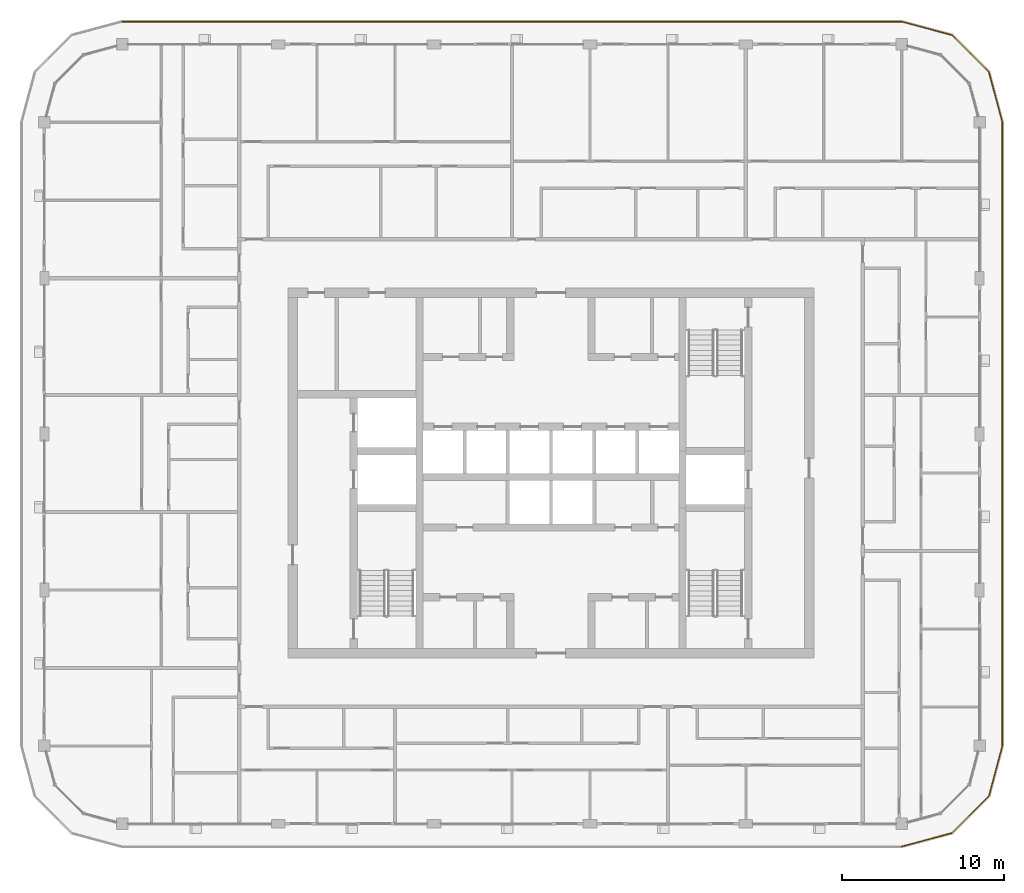
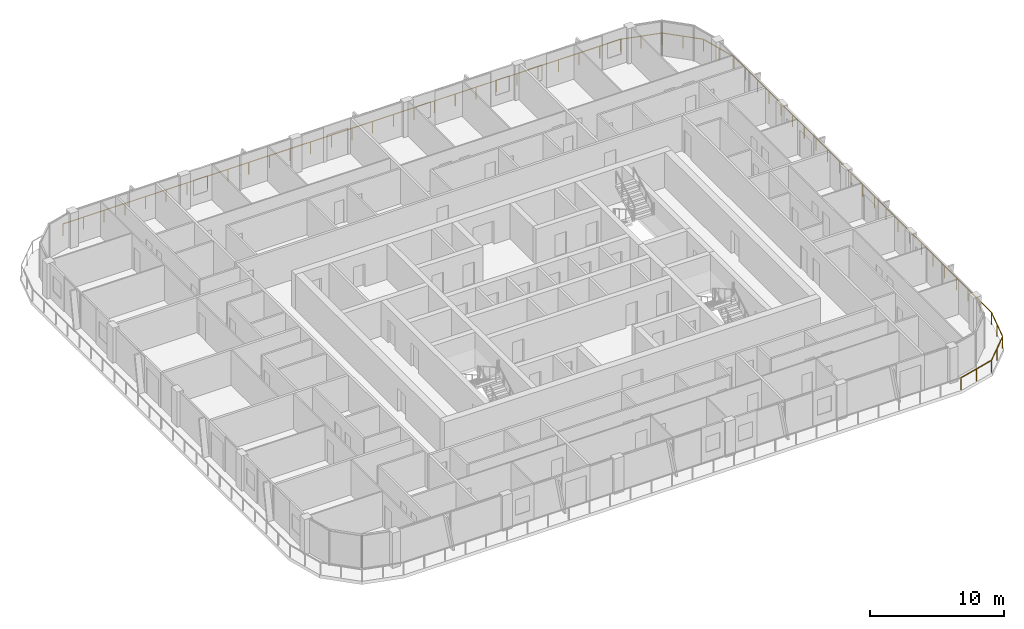
# One storey, part 20 of 22: 1 railing.
"""IFC4 building model written with IfcOpenShell, lengths in metres."""

from ifc_helpers import new_model, si_unit, direction, frame, origin, origin_2d, place, context, subcontext, project, spatial, circle, extrude, material, type_object, element, save


model = new_model("IFC4")

# Units and contexts
model_context = context("Model", 3, precision=1e-05, world=origin(), true_north=direction((0.0, 1.0)))
body_context = subcontext(model_context, "Body", "Model", "MODEL_VIEW")
ifc_project = project(units=[si_unit("LENGTHUNIT", "METRE"), si_unit("AREAUNIT", "SQUARE_METRE"), si_unit("VOLUMEUNIT", "CUBIC_METRE"), si_unit("PLANEANGLEUNIT", "RADIAN"), si_unit("MASSUNIT", "GRAM", prefix="KILO")], contexts=[model_context])

# Site, building, storey
site_placement = place(None, origin())
site = spatial("IfcSite", under=ifc_project, at=site_placement, CompositionType="ELEMENT")
building_placement = place(site_placement, origin())
building = spatial("IfcBuilding", under=site, at=building_placement, Name="Madar Terraces", CompositionType="ELEMENT")
storey_placement = place(building_placement, frame((0.0, 0.0, 249.199951171875)))
storey = spatial("IfcBuildingStorey", under=building, at=storey_placement, Name="L65", CompositionType="ELEMENT", Elevation=249.199951171875)

# Railing
ifc_material = material(Name="Glass, safety glazing, with stainless steel posts", Category="steel")
railing_type = type_object("IfcRailingType", Name="Balcony glass guard 1100", PredefinedType="GUARDRAIL", material=ifc_material)
railing_placement = place(storey_placement, frame((52.800048828125, 3.39990234375, 0.0)))
element("IfcRailing", 1, at=railing_placement, inside=storey, type_object=railing_type, Name="Balcony guard", PredefinedType="GUARDRAIL", context=body_context, shape_type="SweptSolid", body=[
    extrude(circle(Radius=0.02392578125, at=origin_2d()), frame((0.0, 0.0, 1.076171875), z_axis=(0.965909675762, 0.25887931217, 0.0), x_axis=(-0.25887931217, 0.965909675762, 0.0)), (0.0, 0.0, 1.0), 3.209228515625),
    extrude(circle(Radius=0.02392578125, at=origin_2d()), frame((3.099853515625, 0.830810546875, 1.076171875), z_axis=(0.707144815061, 0.707068745266, 0.0), x_axis=(-0.707068745266, 0.707144815061, 0.0)), (0.0, 0.0, 1.0), 3.20947265625),
    extrude(circle(Radius=0.02392578125, at=origin_2d()), frame((5.369384765625, 3.10009765625, 1.076171875), z_axis=(0.258789317819, 0.9659337912, 0.0), x_axis=(-0.9659337912, 0.258789317819, 0.0)), (0.0, 0.0, 1.0), 3.20947265625),
    extrude(circle(Radius=0.02392578125, at=origin_2d()), frame((6.199951171875, 6.2001953125, 1.076171875), z_axis=(0.0, 1.0, 0.0), x_axis=(-1.0, 0.0, 0.0)), (0.0, 0.0, 1.0), 38.39990234375),
    extrude(circle(Radius=0.02392578125, at=origin_2d()), frame((6.199951171875, 44.60009765625, 1.076171875), z_axis=(-0.258789317819, 0.9659337912, 0.0), x_axis=(-0.9659337912, -0.258789317819, 0.0)), (0.0, 0.0, 1.0), 3.20947265625),
    extrude(circle(Radius=0.02392578125, at=origin_2d()), frame((5.369384765625, 47.7001953125, 1.076171875), z_axis=(-0.707144815061, 0.707068745266, 0.0), x_axis=(-0.707068745266, -0.707144815061, 0.0)), (0.0, 0.0, 1.0), 3.20947265625),
    extrude(circle(Radius=0.02392578125, at=origin_2d()), frame((3.099853515625, 49.969482421875, 1.076171875), z_axis=(-0.965928696102, 0.258808334578, 0.0), x_axis=(-0.258808334578, -0.965928696102, 0.0)), (0.0, 0.0, 1.0), 3.209228515625),
    extrude(circle(Radius=0.02392578125, at=origin_2d()), frame((0.0, 50.800048828125, 1.076171875), z_axis=(-1.0, 0.0, 0.0), x_axis=(0.0, -1.0, 0.0)), (0.0, 0.0, 1.0), 48.0),
    extrude(circle(Radius=0.02099609375, at=origin_2d()), origin(), (0.0, 0.0, 1.0), 1.052001953125),
    extrude(circle(Radius=0.02099609375, at=origin_2d()), frame((1.5498046875, 0.41552734375, 0.0)), (0.0, 0.0, 1.0), 1.052001953125),
    extrude(circle(Radius=0.02099609375, at=origin_2d()), frame((3.099853515625, 0.830810546875, 0.0)), (0.0, 0.0, 1.0), 1.052001953125),
    extrude(circle(Radius=0.02099609375, at=origin_2d()), frame((4.234619140625, 1.96533203125, 0.0)), (0.0, 0.0, 1.0), 1.052001953125),
    extrude(circle(Radius=0.02099609375, at=origin_2d()), frame((5.369384765625, 3.10009765625, 0.0)), (0.0, 0.0, 1.0), 1.052001953125),
    extrude(circle(Radius=0.02099609375, at=origin_2d()), frame((5.78466796875, 4.650146484375, 0.0)), (0.0, 0.0, 1.0), 1.052001953125),
    extrude(circle(Radius=0.02099609375, at=origin_2d()), frame((6.199951171875, 6.2001953125, 0.0)), (0.0, 0.0, 1.0), 1.052001953125),
    extrude(circle(Radius=0.02099609375, at=origin_2d()), frame((6.199951171875, 7.945556640625, 0.0)), (0.0, 0.0, 1.0), 1.052001953125),
    extrude(circle(Radius=0.02099609375, at=origin_2d()), frame((6.199951171875, 9.691162109375, 0.0)), (0.0, 0.0, 1.0), 1.052001953125),
    extrude(circle(Radius=0.02099609375, at=origin_2d()), frame((6.199951171875, 11.4365234375, 0.0)), (0.0, 0.0, 1.0), 1.052001953125),
    extrude(circle(Radius=0.02099609375, at=origin_2d()), frame((6.199951171875, 13.181884765625, 0.0)), (0.0, 0.0, 1.0), 1.052001953125),
    extrude(circle(Radius=0.02099609375, at=origin_2d()), frame((6.199951171875, 14.927490234375, 0.0)), (0.0, 0.0, 1.0), 1.052001953125),
    extrude(circle(Radius=0.02099609375, at=origin_2d()), frame((6.199951171875, 16.6728515625, 0.0)), (0.0, 0.0, 1.0), 1.052001953125),
    extrude(circle(Radius=0.02099609375, at=origin_2d()), frame((6.199951171875, 18.41845703125, 0.0)), (0.0, 0.0, 1.0), 1.052001953125),
    extrude(circle(Radius=0.02099609375, at=origin_2d()), frame((6.199951171875, 20.163818359375, 0.0)), (0.0, 0.0, 1.0), 1.052001953125),
    extrude(circle(Radius=0.02099609375, at=origin_2d()), frame((6.199951171875, 21.9091796875, 0.0)), (0.0, 0.0, 1.0), 1.052001953125),
    extrude(circle(Radius=0.02099609375, at=origin_2d()), frame((6.199951171875, 23.65478515625, 0.0)), (0.0, 0.0, 1.0), 1.052001953125),
    extrude(circle(Radius=0.02099609375, at=origin_2d()), frame((6.199951171875, 25.400146484375, 0.0)), (0.0, 0.0, 1.0), 1.052001953125),
    extrude(circle(Radius=0.02099609375, at=origin_2d()), frame((6.199951171875, 27.1455078125, 0.0)), (0.0, 0.0, 1.0), 1.052001953125),
    extrude(circle(Radius=0.02099609375, at=origin_2d()), frame((6.199951171875, 28.89111328125, 0.0)), (0.0, 0.0, 1.0), 1.052001953125),
    extrude(circle(Radius=0.02099609375, at=origin_2d()), frame((6.199951171875, 30.636474609375, 0.0)), (0.0, 0.0, 1.0), 1.052001953125),
    extrude(circle(Radius=0.02099609375, at=origin_2d()), frame((6.199951171875, 32.3818359375, 0.0)), (0.0, 0.0, 1.0), 1.052001953125),
    extrude(circle(Radius=0.02099609375, at=origin_2d()), frame((6.199951171875, 34.12744140625, 0.0)), (0.0, 0.0, 1.0), 1.052001953125),
    extrude(circle(Radius=0.02099609375, at=origin_2d()), frame((6.199951171875, 35.872802734375, 0.0)), (0.0, 0.0, 1.0), 1.052001953125),
    extrude(circle(Radius=0.02099609375, at=origin_2d()), frame((6.199951171875, 37.618408203125, 0.0)), (0.0, 0.0, 1.0), 1.052001953125),
    extrude(circle(Radius=0.02099609375, at=origin_2d()), frame((6.199951171875, 39.36376953125, 0.0)), (0.0, 0.0, 1.0), 1.052001953125),
    extrude(circle(Radius=0.02099609375, at=origin_2d()), frame((6.199951171875, 41.109130859375, 0.0)), (0.0, 0.0, 1.0), 1.052001953125),
    extrude(circle(Radius=0.02099609375, at=origin_2d()), frame((6.199951171875, 42.854736328125, 0.0)), (0.0, 0.0, 1.0), 1.052001953125),
    extrude(circle(Radius=0.02099609375, at=origin_2d()), frame((6.199951171875, 44.60009765625, 0.0)), (0.0, 0.0, 1.0), 1.052001953125),
    extrude(circle(Radius=0.02099609375, at=origin_2d()), frame((5.78466796875, 46.150146484375, 0.0)), (0.0, 0.0, 1.0), 1.052001953125),
    extrude(circle(Radius=0.02099609375, at=origin_2d()), frame((5.369384765625, 47.7001953125, 0.0)), (0.0, 0.0, 1.0), 1.052001953125),
    extrude(circle(Radius=0.02099609375, at=origin_2d()), frame((4.234619140625, 48.8349609375, 0.0)), (0.0, 0.0, 1.0), 1.052001953125),
    extrude(circle(Radius=0.02099609375, at=origin_2d()), frame((3.099853515625, 49.969482421875, 0.0)), (0.0, 0.0, 1.0), 1.052001953125),
    extrude(circle(Radius=0.02099609375, at=origin_2d()), frame((1.5498046875, 50.384765625, 0.0)), (0.0, 0.0, 1.0), 1.052001953125),
    extrude(circle(Radius=0.02099609375, at=origin_2d()), frame((0.0, 50.800048828125, 0.0)), (0.0, 0.0, 1.0), 1.052001953125),
    extrude(circle(Radius=0.02099609375, at=origin_2d()), frame((-1.77783203125, 50.800048828125, 0.0)), (0.0, 0.0, 1.0), 1.052001953125),
    extrude(circle(Radius=0.02099609375, at=origin_2d()), frame((-3.5556640625, 50.800048828125, 0.0)), (0.0, 0.0, 1.0), 1.052001953125),
    extrude(circle(Radius=0.02099609375, at=origin_2d()), frame((-5.333251953125, 50.800048828125, 0.0)), (0.0, 0.0, 1.0), 1.052001953125),
    extrude(circle(Radius=0.02099609375, at=origin_2d()), frame((-7.111083984375, 50.800048828125, 0.0)), (0.0, 0.0, 1.0), 1.052001953125),
    extrude(circle(Radius=0.02099609375, at=origin_2d()), frame((-8.888916015625, 50.800048828125, 0.0)), (0.0, 0.0, 1.0), 1.052001953125),
    extrude(circle(Radius=0.02099609375, at=origin_2d()), frame((-10.666748046875, 50.800048828125, 0.0)), (0.0, 0.0, 1.0), 1.052001953125),
    extrude(circle(Radius=0.02099609375, at=origin_2d()), frame((-12.4443359375, 50.800048828125, 0.0)), (0.0, 0.0, 1.0), 1.052001953125),
    extrude(circle(Radius=0.02099609375, at=origin_2d()), frame((-14.22216796875, 50.800048828125, 0.0)), (0.0, 0.0, 1.0), 1.052001953125),
    extrude(circle(Radius=0.02099609375, at=origin_2d()), frame((-16.0, 50.800048828125, 0.0)), (0.0, 0.0, 1.0), 1.052001953125),
    extrude(circle(Radius=0.02099609375, at=origin_2d()), frame((-17.77783203125, 50.800048828125, 0.0)), (0.0, 0.0, 1.0), 1.052001953125),
    extrude(circle(Radius=0.02099609375, at=origin_2d()), frame((-19.5556640625, 50.800048828125, 0.0)), (0.0, 0.0, 1.0), 1.052001953125),
    extrude(circle(Radius=0.02099609375, at=origin_2d()), frame((-21.333251953125, 50.800048828125, 0.0)), (0.0, 0.0, 1.0), 1.052001953125),
    extrude(circle(Radius=0.02099609375, at=origin_2d()), frame((-23.111083984375, 50.800048828125, 0.0)), (0.0, 0.0, 1.0), 1.052001953125),
    extrude(circle(Radius=0.02099609375, at=origin_2d()), frame((-24.888916015625, 50.800048828125, 0.0)), (0.0, 0.0, 1.0), 1.052001953125),
    extrude(circle(Radius=0.02099609375, at=origin_2d()), frame((-26.666748046875, 50.800048828125, 0.0)), (0.0, 0.0, 1.0), 1.052001953125),
    extrude(circle(Radius=0.02099609375, at=origin_2d()), frame((-28.4443359375, 50.800048828125, 0.0)), (0.0, 0.0, 1.0), 1.052001953125),
    extrude(circle(Radius=0.02099609375, at=origin_2d()), frame((-30.22216796875, 50.800048828125, 0.0)), (0.0, 0.0, 1.0), 1.052001953125),
    extrude(circle(Radius=0.02099609375, at=origin_2d()), frame((-32.0, 50.800048828125, 0.0)), (0.0, 0.0, 1.0), 1.052001953125),
    extrude(circle(Radius=0.02099609375, at=origin_2d()), frame((-33.77783203125, 50.800048828125, 0.0)), (0.0, 0.0, 1.0), 1.052001953125),
    extrude(circle(Radius=0.02099609375, at=origin_2d()), frame((-35.5556640625, 50.800048828125, 0.0)), (0.0, 0.0, 1.0), 1.052001953125),
    extrude(circle(Radius=0.02099609375, at=origin_2d()), frame((-37.333251953125, 50.800048828125, 0.0)), (0.0, 0.0, 1.0), 1.052001953125),
    extrude(circle(Radius=0.02099609375, at=origin_2d()), frame((-39.111083984375, 50.800048828125, 0.0)), (0.0, 0.0, 1.0), 1.052001953125),
    extrude(circle(Radius=0.02099609375, at=origin_2d()), frame((-40.888916015625, 50.800048828125, 0.0)), (0.0, 0.0, 1.0), 1.052001953125),
    extrude(circle(Radius=0.02099609375, at=origin_2d()), frame((-42.666748046875, 50.800048828125, 0.0)), (0.0, 0.0, 1.0), 1.052001953125),
    extrude(circle(Radius=0.02099609375, at=origin_2d()), frame((-44.4443359375, 50.800048828125, 0.0)), (0.0, 0.0, 1.0), 1.052001953125),
    extrude(circle(Radius=0.02099609375, at=origin_2d()), frame((-46.22216796875, 50.800048828125, 0.0)), (0.0, 0.0, 1.0), 1.052001953125),
    extrude(circle(Radius=0.02099609375, at=origin_2d()), frame((-48.0, 50.800048828125, 0.0)), (0.0, 0.0, 1.0), 1.052001953125),
])

save(model, "model.ifc")
